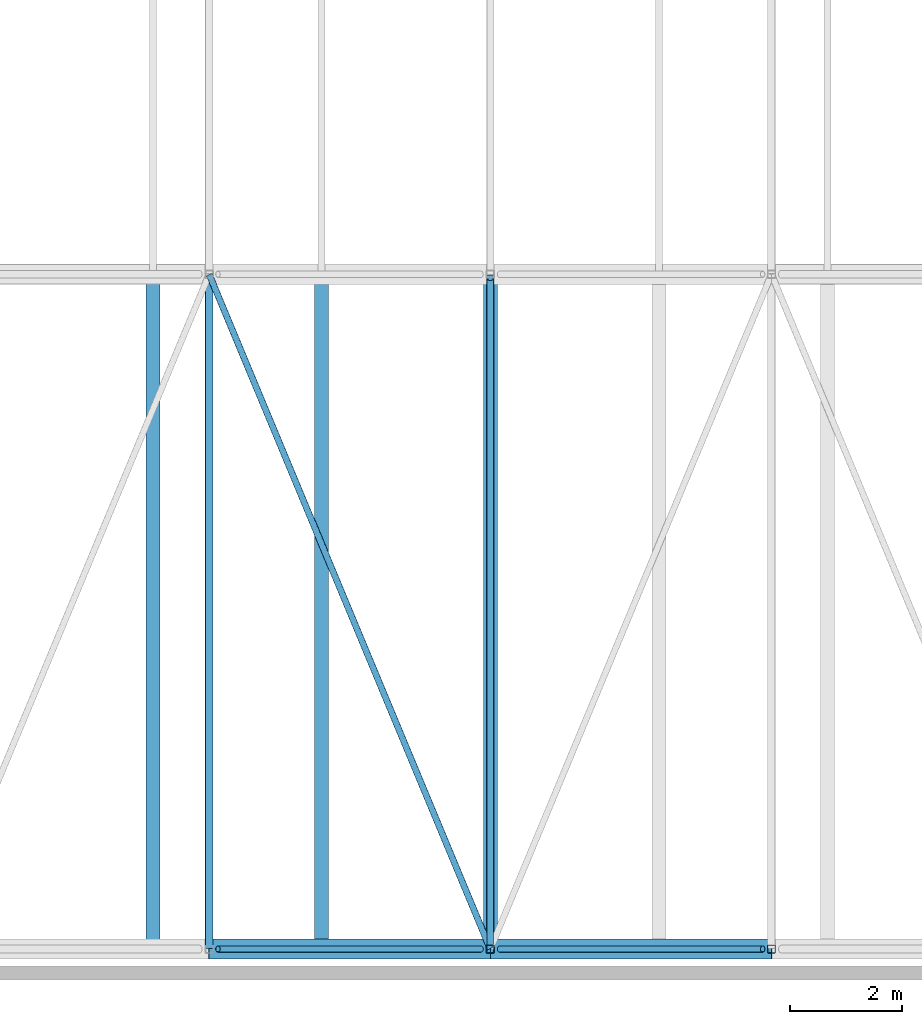
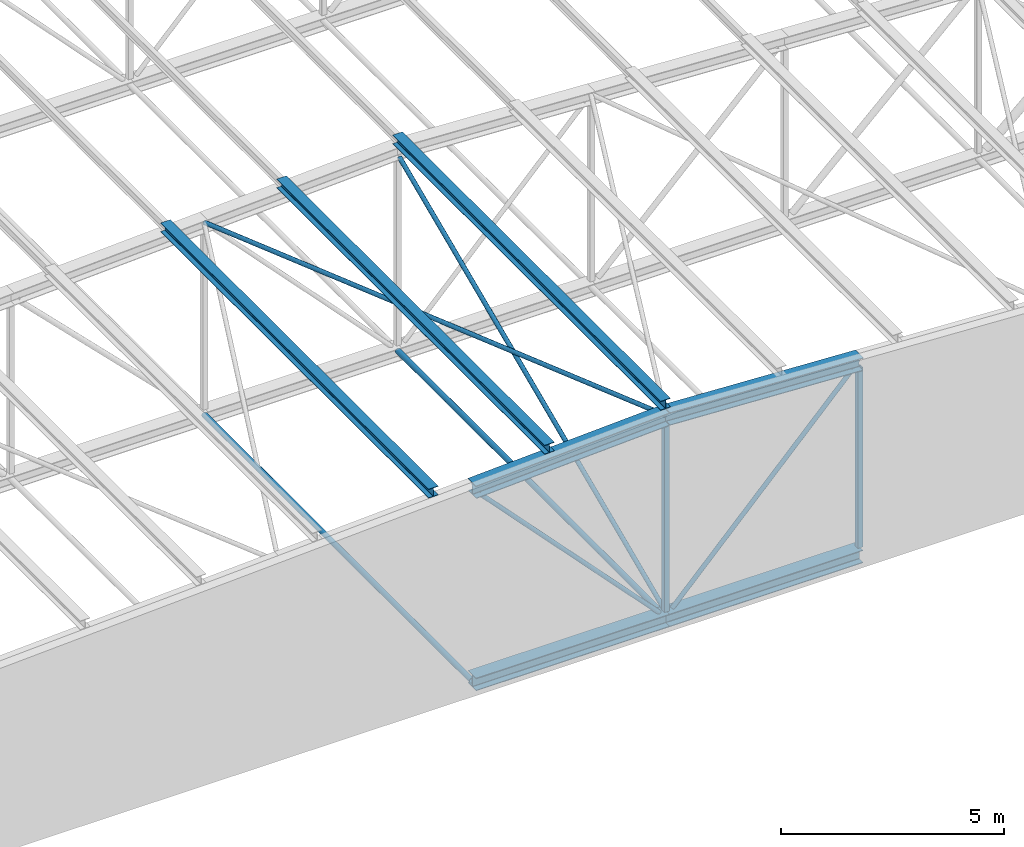
# One storey, part 16 of 156: 15 members.
"""IFC4 building model written with IfcOpenShell, lengths in metres."""

from ifc_helpers import new_model, si_unit, direction, frame, origin, origin_2d, place, context, subcontext, project, spatial, hollow_rectangle, hollow_circle, i_section, extrude, material, material_profile, profile_set, type_object, element, save


model = new_model("IFC4")

# Units and contexts
model_context = context("Model", 3, precision=1e-05, world=origin(), true_north=direction((0.0, 1.0)))
body_context = subcontext(model_context, "Body", "Model", "MODEL_VIEW")
ifc_project = project(units=[si_unit("LENGTHUNIT", "METRE"), si_unit("AREAUNIT", "SQUARE_METRE"), si_unit("VOLUMEUNIT", "CUBIC_METRE"), si_unit("PLANEANGLEUNIT", "RADIAN"), si_unit("MASSUNIT", "GRAM", prefix="KILO")], contexts=[model_context])

# Site, building, storey
site_placement = place(None, origin())
site = spatial("IfcSite", under=ifc_project, at=site_placement, CompositionType="ELEMENT")
building_placement = place(site_placement, origin())
building = spatial("IfcBuilding", under=site, at=building_placement, Name="Lilac Gate Convention Centre", CompositionType="ELEMENT")
storey_placement = place(building_placement, frame((0.0, 0.0, 17.0)))
storey = spatial("IfcBuildingStorey", under=building, at=storey_placement, Name="L03", CompositionType="ELEMENT", Elevation=17.0)

# Members
ifc_material = material(Name="Steel Q355B", Category="steel")
ifc_material_profile_1 = material_profile(ifc_material, hollow_circle(Radius=0.06982421875, WallThickness=0.0048828125, at=origin_2d()), Name="CHS139.7x5")
ifc_profile_set_1 = profile_set([ifc_material_profile_1], Name="Steel Q355B")
member_type_1 = type_object("IfcMemberType", Name="Bottom chord tie CHS139.7x5", PredefinedType="STRUT", material=ifc_profile_set_1)
for number, where, z_axis, x_axis, name in (
    (1, (55.0, 30.009521484375, 0.0), (0.0, 1.0, 0.0), (-1.0, 0.0, 0.0), "ST1 tie bay 1 node 6"),
    (2, (60.0, 30.009521484375, 0.0), (0.0, 1.0, 0.0), (-1.0, 0.0, 0.0), "ST1 tie bay 1 node 7"),
):
    element("IfcMember", number, at=place(storey_placement, frame(where, z_axis=z_axis, x_axis=x_axis)), inside=storey, type_object=member_type_1, Name=name, PredefinedType="STRUT", context=body_context, shape_type="SweptSolid", body=[
        extrude(hollow_circle(Radius=0.06982421875, WallThickness=0.0048828125, at=origin_2d()), origin(), (0.0, 0.0, 1.0), 11.98095703125),
    ])
ifc_material_profile_2 = material_profile(ifc_material, hollow_circle(Radius=0.05712890625, WallThickness=0.0048828125, at=origin_2d()), Name="CHS114.3x5")
ifc_profile_set_2 = profile_set([ifc_material_profile_2], Name="Steel Q355B")
member_type_2 = type_object("IfcMemberType", Name="Roof plane bracing CHS114.3x5", PredefinedType="BRACE", material=ifc_profile_set_2)
member_1_placement = place(storey_placement, frame((55.00244140625, 41.993896484375, 5.25), z_axis=(0.384557486582, -0.922900376645, 0.019246669905), x_axis=(0.923071361129, 0.384628733019, 0.0)))
element("IfcMember", 3, at=member_1_placement, inside=storey, type_object=member_type_2, Name="BR1 plan bracing bay 1 panel 6", PredefinedType="BRACE", context=body_context, shape_type="SweptSolid", body=[
    extrude(hollow_circle(Radius=0.05712890625, WallThickness=0.0048828125, at=origin_2d()), origin(), (0.0, 0.0, 1.0), 12.9892578125),
])
ifc_material_profile_3 = material_profile(ifc_material, i_section(OverallWidth=0.25, OverallDepth=0.25, WebThickness=0.009033203125, FlangeThickness=0.013916015625, FilletRadius=0.012939453125, at=origin_2d()), Name="HW250x250x9x14")
ifc_profile_set_3 = profile_set([ifc_material_profile_3], Name="Steel Q355B")
member_type_3 = type_object("IfcMemberType", Name="Roof purlin HW250x250x9x14", PredefinedType="PURLIN", material=ifc_profile_set_3)
for number, where, z_axis, x_axis, name in (
    (4, (54.0, 30.0, 5.500244140625), (0.0, 1.0, 0.0), (-1.0, 0.0, 0.0), "PU1 purlin bay 1 line 9"),
    (5, (57.0, 30.0, 5.650146484375), (0.0, 1.0, 0.0), (-1.0, 0.0, 0.0), "PU1 purlin bay 1 line 10"),
    (6, (60.0, 30.0, 5.80029296875), (0.0, 1.0, 0.0), (-1.0, 0.0, 0.0), "PU1 purlin bay 1 line 11"),
):
    element("IfcMember", number, at=place(storey_placement, frame(where, z_axis=z_axis, x_axis=x_axis)), inside=storey, type_object=member_type_3, Name=name, PredefinedType="PURLIN", context=body_context, shape_type="SweptSolid", body=[
        extrude(i_section(OverallWidth=0.25, OverallDepth=0.25, WebThickness=0.009033203125, FlangeThickness=0.013916015625, FilletRadius=0.012939453125, at=origin_2d()), origin(), (0.0, 0.0, 1.0), 12.0),
    ])
ifc_material_profile_4 = material_profile(ifc_material, i_section(OverallWidth=0.35693359375, OverallDepth=0.35009765625, WebThickness=0.01904296875, FlangeThickness=0.01904296875, FilletRadius=0.012939453125, at=origin_2d()), Name="HW350x357x19x19")
ifc_profile_set_4 = profile_set([ifc_material_profile_4], Name="Steel Q355B")
member_type_4 = type_object("IfcMemberType", Name="Truss bottom chord HW350x357x19x19", PredefinedType="CHORD", material=ifc_profile_set_4)
for number, where, z_axis, x_axis, name in (
    (7, (55.0, 30.0, 0.0), (1.0, 0.0, 0.0), (0.0, 1.0, 0.0), "TB3 truss 1 bottom chord 6"),
    (8, (60.0, 30.0, 0.0), (1.0, 0.0, 0.0), (0.0, 1.0, 0.0), "TB3 truss 1 bottom chord 7"),
):
    element("IfcMember", number, at=place(storey_placement, frame(where, z_axis=z_axis, x_axis=x_axis)), inside=storey, type_object=member_type_4, Name=name, PredefinedType="CHORD", context=body_context, shape_type="SweptSolid", body=[
        extrude(i_section(OverallWidth=0.35693359375, OverallDepth=0.35009765625, WebThickness=0.01904296875, FlangeThickness=0.01904296875, FilletRadius=0.012939453125, at=origin_2d()), origin(), (0.0, 0.0, 1.0), 5.0),
    ])
ifc_material_profile_5 = material_profile(ifc_material, hollow_circle(Radius=0.05712890625, WallThickness=0.0048828125, at=origin_2d()), Name="CHS114.3x5")
ifc_profile_set_5 = profile_set([ifc_material_profile_5], Name="Steel Q355B")
member_type_5 = type_object("IfcMemberType", Name="Truss diagonal CHS114.3x5", PredefinedType="BRACE", material=ifc_profile_set_5)
for number, where, z_axis, x_axis, name in (
    (9, (55.156494140625, 30.0, 5.085693359375), (0.6896515765, 0.0, -0.724141355697), (0.0, 1.0, 0.0), "TW6 truss 1 diagonal 6"),
    (10, (64.843505859375, 30.0, 5.085693359375), (-0.6896515765, 0.0, -0.724141355697), (0.0, -1.0, 0.0), "TW6 truss 1 diagonal 7"),
):
    element("IfcMember", number, at=place(storey_placement, frame(where, z_axis=z_axis, x_axis=x_axis)), inside=storey, type_object=member_type_5, Name=name, PredefinedType="BRACE", context=body_context, shape_type="SweptSolid", body=[
        extrude(hollow_circle(Radius=0.05712890625, WallThickness=0.0048828125, at=origin_2d()), origin(), (0.0, 0.0, 1.0), 6.78125),
    ])
ifc_material_profile_6 = material_profile(ifc_material, i_section(OverallWidth=0.35693359375, OverallDepth=0.35009765625, WebThickness=0.01904296875, FlangeThickness=0.01904296875, FilletRadius=0.012939453125, at=origin_2d()), Name="HW350x357x19x19")
ifc_profile_set_6 = profile_set([ifc_material_profile_6], Name="Steel Q355B")
member_type_6 = type_object("IfcMemberType", Name="Truss top chord HW350x357x19x19", PredefinedType="CHORD", material=ifc_profile_set_6)
for number, where, z_axis, x_axis, name in (
    (11, (55.0, 30.0, 5.25), (0.998752338878, 0.0, 0.049937616944), (0.0, 1.0, 0.0), "TT3 truss 1 top chord 6"),
    (12, (60.0, 30.0, 5.5), (0.998752338878, 0.0, -0.049937616944), (0.0, 1.0, 0.0), "TT3 truss 1 top chord 7"),
):
    element("IfcMember", number, at=place(storey_placement, frame(where, z_axis=z_axis, x_axis=x_axis)), inside=storey, type_object=member_type_6, Name=name, PredefinedType="CHORD", context=body_context, shape_type="SweptSolid", body=[
        extrude(i_section(OverallWidth=0.35693359375, OverallDepth=0.35009765625, WebThickness=0.01904296875, FlangeThickness=0.01904296875, FilletRadius=0.012939453125, at=origin_2d()), origin(), (0.0, 0.0, 1.0), 5.00634765625),
    ])
ifc_material_profile_7 = material_profile(ifc_material, hollow_rectangle(XDim=0.139892578125, YDim=0.139892578125, WallThickness=0.0048828125, InnerFilletRadius=0.0048828125, OuterFilletRadius=0.010009765625, at=origin_2d()), Name="SHS140x140x5")
ifc_profile_set_7 = profile_set([ifc_material_profile_7], Name="Steel Q355B")
member_type_7 = type_object("IfcMemberType", Name="Truss vertical SHS140x140x5", PredefinedType="STRUT", material=ifc_profile_set_7)
member_2_placement = place(storey_placement, frame((60.0, 30.0, 0.175048828125), z_axis=(0.0, 0.0, 1.0), x_axis=(1.0, 0.0, 0.0)))
element("IfcMember", 13, at=member_2_placement, inside=storey, type_object=member_type_7, Name="TV4 truss 1 vertical 7", PredefinedType="STRUT", context=body_context, shape_type="SweptSolid", body=[
    extrude(hollow_rectangle(XDim=0.139892578125, YDim=0.139892578125, WallThickness=0.0048828125, InnerFilletRadius=0.0048828125, OuterFilletRadius=0.010009765625, at=origin_2d()), origin(), (0.0, 0.0, 1.0), 5.149658203125),
])
member_3_placement = place(storey_placement, frame((65.0, 30.0, 0.175048828125), z_axis=(0.0, 0.0, 1.0), x_axis=(1.0, 0.0, 0.0)))
element("IfcMember", 14, at=member_3_placement, inside=storey, type_object=member_type_7, Name="TV4 truss 1 vertical 8", PredefinedType="STRUT", context=body_context, shape_type="SweptSolid", body=[
    extrude(hollow_rectangle(XDim=0.139892578125, YDim=0.139892578125, WallThickness=0.0048828125, InnerFilletRadius=0.0048828125, OuterFilletRadius=0.010009765625, at=origin_2d()), origin(), (0.0, 0.0, 1.0), 4.899658203125),
])
ifc_material_profile_8 = material_profile(ifc_material, hollow_circle(Radius=0.05712890625, WallThickness=0.006103515625, at=origin_2d()), Name="CHS114.3x6")
ifc_profile_set_8 = profile_set([ifc_material_profile_8], Name="Steel Q355B")
member_type_8 = type_object("IfcMemberType", Name="Vertical bracing CHS114.3x6", PredefinedType="BRACE", material=ifc_profile_set_8)
member_4_placement = place(storey_placement, frame((60.0, 30.08740234375, 0.175048828125), z_axis=(0.0, 0.916835469497, 0.399265227477), x_axis=(-1.0, 0.0, 0.0)))
element("IfcMember", 15, at=member_4_placement, inside=storey, type_object=member_type_8, Name="BR2 vertical bracing bay 1 line 2", PredefinedType="BRACE", context=body_context, shape_type="SweptSolid", body=[
    extrude(hollow_circle(Radius=0.05712890625, WallThickness=0.006103515625, at=origin_2d()), origin(), (0.0, 0.0, 1.0), 12.89794921875),
])

save(model, "model.ifc")
